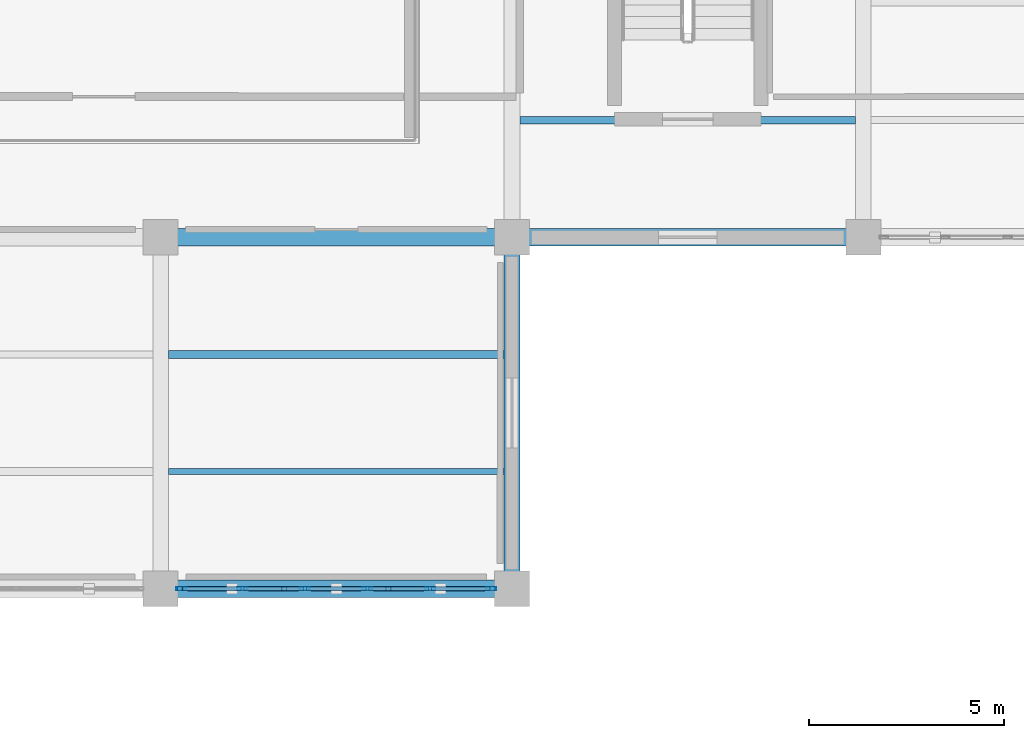
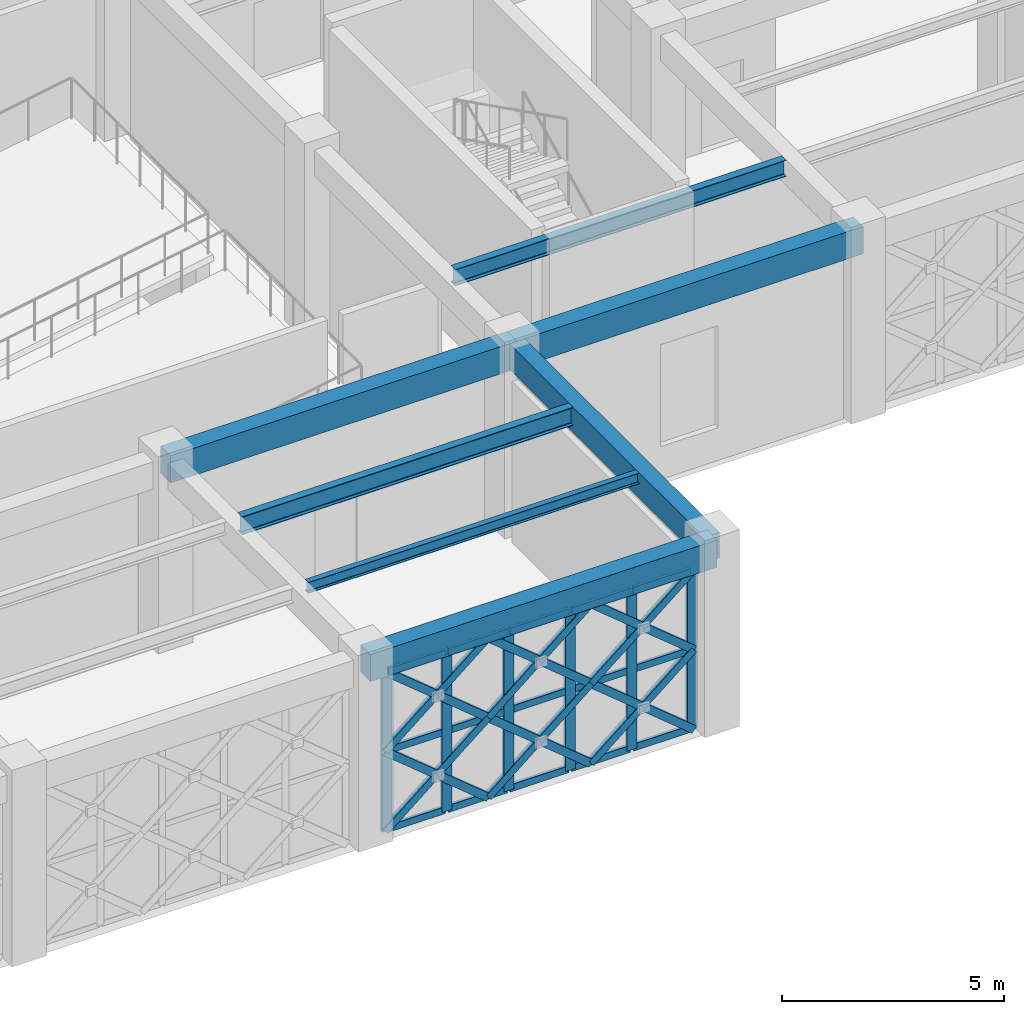
# One storey, part 97 of 166: 39 members, 7 beams, 1 element without a shape of its own.
"""IFC4 building model written with IfcOpenShell, lengths in metres."""

from ifc_helpers import new_model, si_unit, direction, frame, origin, origin_2d, place, context, subcontext, project, spatial, rectangle, hollow_rectangle, i_section, extrude, material, material_profile, profile_set, type_object, element, aggregate, save


model = new_model("IFC4")

# Units and contexts
model_context = context("Model", 3, precision=1e-05, world=origin(), true_north=direction((0.0, 1.0)))
body_context = subcontext(model_context, "Body", "Model", "MODEL_VIEW")
ifc_project = project(units=[si_unit("LENGTHUNIT", "METRE"), si_unit("AREAUNIT", "SQUARE_METRE"), si_unit("VOLUMEUNIT", "CUBIC_METRE"), si_unit("PLANEANGLEUNIT", "RADIAN"), si_unit("MASSUNIT", "GRAM", prefix="KILO")], contexts=[model_context])

# Site, building, storey
site_placement = place(None, origin())
site = spatial("IfcSite", under=ifc_project, at=site_placement, CompositionType="ELEMENT")
building_placement = place(site_placement, origin())
building = spatial("IfcBuilding", under=site, at=building_placement, Name="Haizhuo Lancet Aquarium", CompositionType="ELEMENT")
storey_placement = place(building_placement, frame((0.0, 0.0, 5.39990234375)))
storey = spatial("IfcBuildingStorey", under=building, at=storey_placement, Name="L01", CompositionType="ELEMENT", Elevation=5.39990234375)

# Beams
ifc_material_1 = material(Name="Concrete C40/50", Category="concrete")
ifc_material_profile_1 = material_profile(ifc_material_1, rectangle(XDim=0.39990234375, YDim=0.699951171875, at=origin_2d()), Name="RC-BM 400x700")
ifc_profile_set_1 = profile_set([ifc_material_profile_1], Name="Concrete C40/50")
beam_type_1 = type_object("IfcBeamType", Name="BM-RC-400x700", PredefinedType="BEAM", material=ifc_profile_set_1)
beam_1_placement = place(storey_placement, frame((54.0, -36.0, 4.7900390625), z_axis=(0.0, 1.0, 0.0), x_axis=(-1.0, 0.0, 0.0)))
element("IfcBeam", 1, at=beam_1_placement, inside=storey, type_object=beam_type_1, Name="L01 V3 primary girder BM-L01-V3-017", PredefinedType="BEAM", context=body_context, shape_type="SweptSolid", body=[
    extrude(rectangle(XDim=0.39990234375, YDim=0.699951171875, at=origin_2d()), origin(), (0.0, 0.0, 1.0), 9.0),
])
ifc_material_profile_2 = material_profile(ifc_material_1, rectangle(XDim=0.449951171875, YDim=0.75, at=origin_2d()), Name="RC-BM 450x750")
ifc_profile_set_2 = profile_set([ifc_material_profile_2], Name="Concrete C40/50")
beam_type_2 = type_object("IfcBeamType", Name="BM-RC-450x750", PredefinedType="BEAM", material=ifc_profile_set_2)
for number, where, z_axis, x_axis, name in (
    (2, (45.0, -36.0, 4.76513671875), (1.0, 0.0, 0.0), (0.0, 1.0, 0.0), "L01 V3 primary girder BM-L01-V3-014"),
    (3, (45.0, -27.0, 4.76513671875), (1.0, 0.0, 0.0), (0.0, 1.0, 0.0), "L01 V3 primary girder BM-L01-V3-015"),
    (4, (54.0, -27.0, 4.76513671875), (1.0, 0.0, 0.0), (0.0, 1.0, 0.0), "L01 V3 primary girder BM-L01-V3-019"),
):
    element("IfcBeam", number, at=place(storey_placement, frame(where, z_axis=z_axis, x_axis=x_axis)), inside=storey, type_object=beam_type_2, Name=name, PredefinedType="BEAM", context=body_context, shape_type="SweptSolid", body=[
        extrude(rectangle(XDim=0.449951171875, YDim=0.75, at=origin_2d()), origin(), (0.0, 0.0, 1.0), 9.0),
    ])

# Curtain wall, members
ifc_material_2 = material(Name="Aluminium 6063-T6", Category="aluminium")
curtain_wall_type = type_object("IfcCurtainWallType", Name="CWO-8010x4390", PredefinedType="NOTDEFINED", material=ifc_material_2)
curtain_wall_placement = place(storey_placement, origin())
curtain_wall = element("IfcCurtainWall", 5, at=curtain_wall_placement, inside=storey, type_object=curtain_wall_type, Name="L01 curtain wall CW-V3-L01-045", PredefinedType="NOTDEFINED")
ifc_material_profile_3 = material_profile(ifc_material_2, hollow_rectangle(XDim=0.080078125, YDim=0.260009765625, WallThickness=0.0048828125, at=origin_2d()), Name="ALU-M 80x260x5")
ifc_profile_set_3 = profile_set([ifc_material_profile_3], Name="Aluminium 6063-T6")
member_type_1 = type_object("IfcMemberType", Name="CW-MUL-3", PredefinedType="MULLION", material=ifc_profile_set_3)
member_1_placement = place(storey_placement, frame((53.465087890625, -36.0, 0.0), z_axis=(0.0, 0.0, 1.0), x_axis=(0.0, -1.0, 0.0)))
member_1 = element("IfcMember", 6, at=member_1_placement, type_object=member_type_1, Name="CWO-80x43 mullion 1", PredefinedType="MULLION", context=body_context, shape_type="SweptSolid", body=[
    extrude(hollow_rectangle(XDim=0.080078125, YDim=0.260009765625, WallThickness=0.0048828125, at=origin_2d()), origin(), (0.0, 0.0, 1.0), 4.39013671875),
])
member_2_placement = place(storey_placement, frame((51.903076171875, -36.0, 0.0), z_axis=(0.0, 0.0, 1.0), x_axis=(0.0, -1.0, 0.0)))
member_2 = element("IfcMember", 7, at=member_2_placement, type_object=member_type_1, Name="CWO-80x43 mullion 2", PredefinedType="MULLION", context=body_context, shape_type="SweptSolid", body=[
    extrude(hollow_rectangle(XDim=0.080078125, YDim=0.260009765625, WallThickness=0.0048828125, at=origin_2d()), origin(), (0.0, 0.0, 1.0), 4.39013671875),
])
member_3_placement = place(storey_placement, frame((50.301025390625, -36.0, 0.0), z_axis=(0.0, 0.0, 1.0), x_axis=(0.0, -1.0, 0.0)))
member_3 = element("IfcMember", 8, at=member_3_placement, type_object=member_type_1, Name="CWO-80x43 mullion 3", PredefinedType="MULLION", context=body_context, shape_type="SweptSolid", body=[
    extrude(hollow_rectangle(XDim=0.080078125, YDim=0.260009765625, WallThickness=0.0048828125, at=origin_2d()), origin(), (0.0, 0.0, 1.0), 4.39013671875),
])
member_4_placement = place(storey_placement, frame((48.698974609375, -36.0, 0.0), z_axis=(0.0, 0.0, 1.0), x_axis=(0.0, -1.0, 0.0)))
member_4 = element("IfcMember", 9, at=member_4_placement, type_object=member_type_1, Name="CWO-80x43 mullion 4", PredefinedType="MULLION", context=body_context, shape_type="SweptSolid", body=[
    extrude(hollow_rectangle(XDim=0.080078125, YDim=0.260009765625, WallThickness=0.0048828125, at=origin_2d()), origin(), (0.0, 0.0, 1.0), 4.39013671875),
])
member_5_placement = place(storey_placement, frame((47.096923828125, -36.0, 0.0), z_axis=(0.0, 0.0, 1.0), x_axis=(0.0, -1.0, 0.0)))
member_5 = element("IfcMember", 10, at=member_5_placement, type_object=member_type_1, Name="CWO-80x43 mullion 5", PredefinedType="MULLION", context=body_context, shape_type="SweptSolid", body=[
    extrude(hollow_rectangle(XDim=0.080078125, YDim=0.260009765625, WallThickness=0.0048828125, at=origin_2d()), origin(), (0.0, 0.0, 1.0), 4.39013671875),
])
member_6_placement = place(storey_placement, frame((45.534912109375, -36.0, 0.0), z_axis=(0.0, 0.0, 1.0), x_axis=(0.0, -1.0, 0.0)))
member_6 = element("IfcMember", 11, at=member_6_placement, type_object=member_type_1, Name="CWO-80x43 mullion 6", PredefinedType="MULLION", context=body_context, shape_type="SweptSolid", body=[
    extrude(hollow_rectangle(XDim=0.080078125, YDim=0.260009765625, WallThickness=0.0048828125, at=origin_2d()), origin(), (0.0, 0.0, 1.0), 4.39013671875),
])
ifc_material_profile_4 = material_profile(ifc_material_2, hollow_rectangle(XDim=0.080078125, YDim=0.18994140625, WallThickness=0.0048828125, at=origin_2d()), Name="ALU-T 80x190x5")
ifc_profile_set_4 = profile_set([ifc_material_profile_4], Name="Aluminium 6063-T6")
member_type_2 = type_object("IfcMemberType", Name="CW-TRN-3", PredefinedType="NOTDEFINED", material=ifc_profile_set_4)
member_7_placement = place(storey_placement, frame((53.425048828125, -36.0, 0.0400390625), z_axis=(-1.0, 0.0, 0.0), x_axis=(0.0, -1.0, 0.0)))
member_7 = element("IfcMember", 12, at=member_7_placement, type_object=member_type_2, Name="CWO-80x43 transom 1.1", ObjectType="TRANSOM", PredefinedType="USERDEFINED", context=body_context, shape_type="SweptSolid", body=[
    extrude(hollow_rectangle(XDim=0.080078125, YDim=0.18994140625, WallThickness=0.0048828125, at=origin_2d()), origin(), (0.0, 0.0, 1.0), 1.48193359375),
])
member_8_placement = place(storey_placement, frame((53.425048828125, -36.0, 2.195068359375), z_axis=(-1.0, 0.0, 0.0), x_axis=(0.0, -1.0, 0.0)))
member_8 = element("IfcMember", 13, at=member_8_placement, type_object=member_type_2, Name="CWO-80x43 transom 1.2", ObjectType="TRANSOM", PredefinedType="USERDEFINED", context=body_context, shape_type="SweptSolid", body=[
    extrude(hollow_rectangle(XDim=0.080078125, YDim=0.18994140625, WallThickness=0.0048828125, at=origin_2d()), origin(), (0.0, 0.0, 1.0), 1.48193359375),
])
member_9_placement = place(storey_placement, frame((53.425048828125, -36.0, 4.35009765625), z_axis=(-1.0, 0.0, 0.0), x_axis=(0.0, -1.0, 0.0)))
member_9 = element("IfcMember", 14, at=member_9_placement, type_object=member_type_2, Name="CWO-80x43 transom 1.3", ObjectType="TRANSOM", PredefinedType="USERDEFINED", context=body_context, shape_type="SweptSolid", body=[
    extrude(hollow_rectangle(XDim=0.080078125, YDim=0.18994140625, WallThickness=0.0048828125, at=origin_2d()), origin(), (0.0, 0.0, 1.0), 1.48193359375),
])
member_10_placement = place(storey_placement, frame((51.863037109375, -36.0, 0.0400390625), z_axis=(-1.0, 0.0, 0.0), x_axis=(0.0, -1.0, 0.0)))
member_10 = element("IfcMember", 15, at=member_10_placement, type_object=member_type_2, Name="CWO-80x43 transom 2.1", ObjectType="TRANSOM", PredefinedType="USERDEFINED", context=body_context, shape_type="SweptSolid", body=[
    extrude(hollow_rectangle(XDim=0.080078125, YDim=0.18994140625, WallThickness=0.0048828125, at=origin_2d()), origin(), (0.0, 0.0, 1.0), 1.52197265625),
])
member_11_placement = place(storey_placement, frame((51.863037109375, -36.0, 2.195068359375), z_axis=(-1.0, 0.0, 0.0), x_axis=(0.0, -1.0, 0.0)))
member_11 = element("IfcMember", 16, at=member_11_placement, type_object=member_type_2, Name="CWO-80x43 transom 2.2", ObjectType="TRANSOM", PredefinedType="USERDEFINED", context=body_context, shape_type="SweptSolid", body=[
    extrude(hollow_rectangle(XDim=0.080078125, YDim=0.18994140625, WallThickness=0.0048828125, at=origin_2d()), origin(), (0.0, 0.0, 1.0), 1.52197265625),
])
member_12_placement = place(storey_placement, frame((51.863037109375, -36.0, 4.35009765625), z_axis=(-1.0, 0.0, 0.0), x_axis=(0.0, -1.0, 0.0)))
member_12 = element("IfcMember", 17, at=member_12_placement, type_object=member_type_2, Name="CWO-80x43 transom 2.3", ObjectType="TRANSOM", PredefinedType="USERDEFINED", context=body_context, shape_type="SweptSolid", body=[
    extrude(hollow_rectangle(XDim=0.080078125, YDim=0.18994140625, WallThickness=0.0048828125, at=origin_2d()), origin(), (0.0, 0.0, 1.0), 1.52197265625),
])
member_13_placement = place(storey_placement, frame((50.260986328125, -36.0, 0.0400390625), z_axis=(-1.0, 0.0, 0.0), x_axis=(0.0, -1.0, 0.0)))
member_13 = element("IfcMember", 18, at=member_13_placement, type_object=member_type_2, Name="CWO-80x43 transom 3.1", ObjectType="TRANSOM", PredefinedType="USERDEFINED", context=body_context, shape_type="SweptSolid", body=[
    extrude(hollow_rectangle(XDim=0.080078125, YDim=0.18994140625, WallThickness=0.0048828125, at=origin_2d()), origin(), (0.0, 0.0, 1.0), 1.52197265625),
])
member_14_placement = place(storey_placement, frame((50.260986328125, -36.0, 2.195068359375), z_axis=(-1.0, 0.0, 0.0), x_axis=(0.0, -1.0, 0.0)))
member_14 = element("IfcMember", 19, at=member_14_placement, type_object=member_type_2, Name="CWO-80x43 transom 3.2", ObjectType="TRANSOM", PredefinedType="USERDEFINED", context=body_context, shape_type="SweptSolid", body=[
    extrude(hollow_rectangle(XDim=0.080078125, YDim=0.18994140625, WallThickness=0.0048828125, at=origin_2d()), origin(), (0.0, 0.0, 1.0), 1.52197265625),
])
member_15_placement = place(storey_placement, frame((50.260986328125, -36.0, 4.35009765625), z_axis=(-1.0, 0.0, 0.0), x_axis=(0.0, -1.0, 0.0)))
member_15 = element("IfcMember", 20, at=member_15_placement, type_object=member_type_2, Name="CWO-80x43 transom 3.3", ObjectType="TRANSOM", PredefinedType="USERDEFINED", context=body_context, shape_type="SweptSolid", body=[
    extrude(hollow_rectangle(XDim=0.080078125, YDim=0.18994140625, WallThickness=0.0048828125, at=origin_2d()), origin(), (0.0, 0.0, 1.0), 1.52197265625),
])
member_16_placement = place(storey_placement, frame((48.658935546875, -36.0, 0.0400390625), z_axis=(-1.0, 0.0, 0.0), x_axis=(0.0, -1.0, 0.0)))
member_16 = element("IfcMember", 21, at=member_16_placement, type_object=member_type_2, Name="CWO-80x43 transom 4.1", ObjectType="TRANSOM", PredefinedType="USERDEFINED", context=body_context, shape_type="SweptSolid", body=[
    extrude(hollow_rectangle(XDim=0.080078125, YDim=0.18994140625, WallThickness=0.0048828125, at=origin_2d()), origin(), (0.0, 0.0, 1.0), 1.52197265625),
])
member_17_placement = place(storey_placement, frame((48.658935546875, -36.0, 2.195068359375), z_axis=(-1.0, 0.0, 0.0), x_axis=(0.0, -1.0, 0.0)))
member_17 = element("IfcMember", 22, at=member_17_placement, type_object=member_type_2, Name="CWO-80x43 transom 4.2", ObjectType="TRANSOM", PredefinedType="USERDEFINED", context=body_context, shape_type="SweptSolid", body=[
    extrude(hollow_rectangle(XDim=0.080078125, YDim=0.18994140625, WallThickness=0.0048828125, at=origin_2d()), origin(), (0.0, 0.0, 1.0), 1.52197265625),
])
member_18_placement = place(storey_placement, frame((48.658935546875, -36.0, 4.35009765625), z_axis=(-1.0, 0.0, 0.0), x_axis=(0.0, -1.0, 0.0)))
member_18 = element("IfcMember", 23, at=member_18_placement, type_object=member_type_2, Name="CWO-80x43 transom 4.3", ObjectType="TRANSOM", PredefinedType="USERDEFINED", context=body_context, shape_type="SweptSolid", body=[
    extrude(hollow_rectangle(XDim=0.080078125, YDim=0.18994140625, WallThickness=0.0048828125, at=origin_2d()), origin(), (0.0, 0.0, 1.0), 1.52197265625),
])
member_19_placement = place(storey_placement, frame((47.056884765625, -36.0, 0.0400390625), z_axis=(-1.0, 0.0, 0.0), x_axis=(0.0, -1.0, 0.0)))
member_19 = element("IfcMember", 24, at=member_19_placement, type_object=member_type_2, Name="CWO-80x43 transom 5.1", ObjectType="TRANSOM", PredefinedType="USERDEFINED", context=body_context, shape_type="SweptSolid", body=[
    extrude(hollow_rectangle(XDim=0.080078125, YDim=0.18994140625, WallThickness=0.0048828125, at=origin_2d()), origin(), (0.0, 0.0, 1.0), 1.48193359375),
])
member_20_placement = place(storey_placement, frame((47.056884765625, -36.0, 2.195068359375), z_axis=(-1.0, 0.0, 0.0), x_axis=(0.0, -1.0, 0.0)))
member_20 = element("IfcMember", 25, at=member_20_placement, type_object=member_type_2, Name="CWO-80x43 transom 5.2", ObjectType="TRANSOM", PredefinedType="USERDEFINED", context=body_context, shape_type="SweptSolid", body=[
    extrude(hollow_rectangle(XDim=0.080078125, YDim=0.18994140625, WallThickness=0.0048828125, at=origin_2d()), origin(), (0.0, 0.0, 1.0), 1.48193359375),
])
member_21_placement = place(storey_placement, frame((47.056884765625, -36.0, 4.35009765625), z_axis=(-1.0, 0.0, 0.0), x_axis=(0.0, -1.0, 0.0)))
member_21 = element("IfcMember", 26, at=member_21_placement, type_object=member_type_2, Name="CWO-80x43 transom 5.3", ObjectType="TRANSOM", PredefinedType="USERDEFINED", context=body_context, shape_type="SweptSolid", body=[
    extrude(hollow_rectangle(XDim=0.080078125, YDim=0.18994140625, WallThickness=0.0048828125, at=origin_2d()), origin(), (0.0, 0.0, 1.0), 1.48193359375),
])
aggregate(curtain_wall, [member_1, member_2, member_3, member_4, member_5, member_6, member_7, member_8, member_9, member_10, member_11, member_12, member_13, member_14, member_15, member_16, member_17, member_18, member_19, member_20, member_21])

# Beams
ifc_material_3 = material(Name="Steel S355", Category="steel")
ifc_material_profile_5 = material_profile(ifc_material_3, i_section(OverallWidth=0.14990234375, OverallDepth=0.300048828125, WebThickness=0.006591796875, FlangeThickness=0.009033203125, FilletRadius=0.012939453125, at=origin_2d()), Name="HN 300x150x6.5x9")
ifc_profile_set_5 = profile_set([ifc_material_profile_5], Name="Steel S355")
beam_type_3 = type_object("IfcBeamType", Name="JST-ST-HN300", PredefinedType="JOIST", material=ifc_profile_set_5)
beam_2_placement = place(storey_placement, frame((45.199951171875, -33.0, 4.989990234375), z_axis=(1.0, 0.0, 0.0), x_axis=(0.0, 1.0, 0.0)))
element("IfcBeam", 27, at=beam_2_placement, inside=storey, type_object=beam_type_3, Name="L01 V3 secondary floor joist 7", PredefinedType="JOIST", context=body_context, shape_type="SweptSolid", body=[
    extrude(i_section(OverallWidth=0.14990234375, OverallDepth=0.300048828125, WebThickness=0.006591796875, FlangeThickness=0.009033203125, FilletRadius=0.012939453125, at=origin_2d()), origin(), (0.0, 0.0, 1.0), 8.60009765625),
])
ifc_material_profile_6 = material_profile(ifc_material_3, i_section(OverallWidth=0.199951171875, OverallDepth=0.449951171875, WebThickness=0.009033203125, FlangeThickness=0.013916015625, FilletRadius=0.01806640625, at=origin_2d()), Name="HN 450x200x9x14")
ifc_profile_set_6 = profile_set([ifc_material_profile_6], Name="Steel S355")
beam_type_4 = type_object("IfcBeamType", Name="JST-ST-HN450", PredefinedType="JOIST", material=ifc_profile_set_6)
beam_3_placement = place(storey_placement, frame((54.199951171875, -24.0, 4.9150390625), z_axis=(1.0, 0.0, 0.0), x_axis=(0.0, 1.0, 0.0)))
element("IfcBeam", 28, at=beam_3_placement, inside=storey, type_object=beam_type_4, Name="L01 V3 secondary floor joist 9", PredefinedType="JOIST", context=body_context, shape_type="SweptSolid", body=[
    extrude(i_section(OverallWidth=0.199951171875, OverallDepth=0.449951171875, WebThickness=0.009033203125, FlangeThickness=0.013916015625, FilletRadius=0.01806640625, at=origin_2d()), origin(), (0.0, 0.0, 1.0), 8.60009765625),
])
ifc_material_profile_7 = material_profile(ifc_material_3, i_section(OverallWidth=0.199951171875, OverallDepth=0.5, WebThickness=0.010009765625, FlangeThickness=0.01611328125, FilletRadius=0.02001953125, at=origin_2d()), Name="HN 500x200x10x16")
ifc_profile_set_7 = profile_set([ifc_material_profile_7], Name="Steel S355")
beam_type_5 = type_object("IfcBeamType", Name="JST-ST-HN500", PredefinedType="JOIST", material=ifc_profile_set_7)
beam_4_placement = place(storey_placement, frame((45.199951171875, -30.0, 4.89013671875), z_axis=(1.0, 0.0, 0.0), x_axis=(0.0, 1.0, 0.0)))
element("IfcBeam", 29, at=beam_4_placement, inside=storey, type_object=beam_type_5, Name="L01 V3 secondary floor joist 8", PredefinedType="JOIST", context=body_context, shape_type="SweptSolid", body=[
    extrude(i_section(OverallWidth=0.199951171875, OverallDepth=0.5, WebThickness=0.010009765625, FlangeThickness=0.01611328125, FilletRadius=0.02001953125, at=origin_2d()), origin(), (0.0, 0.0, 1.0), 8.60009765625),
])

# Members
ifc_material_profile_8 = material_profile(ifc_material_3, hollow_rectangle(XDim=0.1201171875, YDim=0.199951171875, WallThickness=0.008056640625, at=origin_2d()), Name="RHS 120x200x8")
ifc_profile_set_8 = profile_set([ifc_material_profile_8], Name="Steel S355")
member_type_3 = type_object("IfcMemberType", Name="MEM-LB-RHS120x200", PredefinedType="BRACE", material=ifc_profile_set_8)
member_22_placement = place(storey_placement, frame((53.5048828125, -36.0, 0.0), z_axis=(-0.772453976084, 0.0, 0.635070747895), x_axis=(0.0, -1.0, 0.0)))
element("IfcMember", 30, at=member_22_placement, inside=storey, type_object=member_type_3, Name="Gothic lancet continuous diagonal brace CW-V3-L01-045 1A", PredefinedType="BRACE", context=body_context, shape_type="SweptSolid", body=[
    extrude(hollow_rectangle(XDim=0.1201171875, YDim=0.199951171875, WallThickness=0.008056640625, at=origin_2d()), origin(), (0.0, 0.0, 1.0), 3.456298828125),
])
member_23_placement = place(storey_placement, frame((50.8349609375, -36.0, 0.0), z_axis=(0.772280733977, 0.0, 0.635281408454), x_axis=(0.0, 1.0, 0.0)))
element("IfcMember", 31, at=member_23_placement, inside=storey, type_object=member_type_3, Name="Gothic lancet split diagonal brace CW-V3-L01-045 1B1", PredefinedType="BRACE", context=body_context, shape_type="SweptSolid", body=[
    extrude(hollow_rectangle(XDim=0.1201171875, YDim=0.199951171875, WallThickness=0.008056640625, at=origin_2d()), origin(), (0.0, 0.0, 1.0), 1.728515625),
])
member_24_placement = place(storey_placement, frame((52.169921875, -36.0, 1.09814453125), z_axis=(0.772627238419, 0.0, 0.634859945541), x_axis=(0.0, 1.0, 0.0)))
element("IfcMember", 32, at=member_24_placement, inside=storey, type_object=member_type_3, Name="Gothic lancet split diagonal brace CW-V3-L01-045 1B2", PredefinedType="BRACE", context=body_context, shape_type="SweptSolid", body=[
    extrude(hollow_rectangle(XDim=0.1201171875, YDim=0.199951171875, WallThickness=0.008056640625, at=origin_2d()), origin(), (0.0, 0.0, 1.0), 1.727783203125),
])
member_25_placement = place(storey_placement, frame((53.5048828125, -36.0, 2.195068359375), z_axis=(-0.772453976084, 0.0, 0.635070747895), x_axis=(0.0, -1.0, 0.0)))
element("IfcMember", 33, at=member_25_placement, inside=storey, type_object=member_type_3, Name="Gothic lancet continuous diagonal brace CW-V3-L01-045 2A", PredefinedType="BRACE", context=body_context, shape_type="SweptSolid", body=[
    extrude(hollow_rectangle(XDim=0.1201171875, YDim=0.199951171875, WallThickness=0.008056640625, at=origin_2d()), origin(), (0.0, 0.0, 1.0), 3.456298828125),
])
member_26_placement = place(storey_placement, frame((50.8349609375, -36.0, 2.195068359375), z_axis=(0.772627238419, 0.0, 0.634859945541), x_axis=(0.0, 1.0, 0.0)))
element("IfcMember", 34, at=member_26_placement, inside=storey, type_object=member_type_3, Name="Gothic lancet split diagonal brace CW-V3-L01-045 2B1", PredefinedType="BRACE", context=body_context, shape_type="SweptSolid", body=[
    extrude(hollow_rectangle(XDim=0.1201171875, YDim=0.199951171875, WallThickness=0.008056640625, at=origin_2d()), origin(), (0.0, 0.0, 1.0), 1.727783203125),
])
member_27_placement = place(storey_placement, frame((52.169921875, -36.0, 3.2919921875), z_axis=(0.772280733977, 0.0, 0.635281408454), x_axis=(0.0, 1.0, 0.0)))
element("IfcMember", 35, at=member_27_placement, inside=storey, type_object=member_type_3, Name="Gothic lancet split diagonal brace CW-V3-L01-045 2B2", PredefinedType="BRACE", context=body_context, shape_type="SweptSolid", body=[
    extrude(hollow_rectangle(XDim=0.1201171875, YDim=0.199951171875, WallThickness=0.008056640625, at=origin_2d()), origin(), (0.0, 0.0, 1.0), 1.728515625),
])
member_28_placement = place(storey_placement, frame((50.8349609375, -36.0, 0.0), z_axis=(-0.772453976084, 0.0, 0.635070747895), x_axis=(0.0, -1.0, 0.0)))
element("IfcMember", 36, at=member_28_placement, inside=storey, type_object=member_type_3, Name="Gothic lancet continuous diagonal brace CW-V3-L01-045 3A", PredefinedType="BRACE", context=body_context, shape_type="SweptSolid", body=[
    extrude(hollow_rectangle(XDim=0.1201171875, YDim=0.199951171875, WallThickness=0.008056640625, at=origin_2d()), origin(), (0.0, 0.0, 1.0), 3.456298828125),
])
member_29_placement = place(storey_placement, frame((48.1650390625, -36.0, 0.0), z_axis=(0.772280733977, 0.0, 0.635281408454), x_axis=(0.0, 1.0, 0.0)))
element("IfcMember", 37, at=member_29_placement, inside=storey, type_object=member_type_3, Name="Gothic lancet split diagonal brace CW-V3-L01-045 3B1", PredefinedType="BRACE", context=body_context, shape_type="SweptSolid", body=[
    extrude(hollow_rectangle(XDim=0.1201171875, YDim=0.199951171875, WallThickness=0.008056640625, at=origin_2d()), origin(), (0.0, 0.0, 1.0), 1.728515625),
])
member_30_placement = place(storey_placement, frame((49.5, -36.0, 1.09814453125), z_axis=(0.772627238419, 0.0, 0.634859945541), x_axis=(0.0, 1.0, 0.0)))
element("IfcMember", 38, at=member_30_placement, inside=storey, type_object=member_type_3, Name="Gothic lancet split diagonal brace CW-V3-L01-045 3B2", PredefinedType="BRACE", context=body_context, shape_type="SweptSolid", body=[
    extrude(hollow_rectangle(XDim=0.1201171875, YDim=0.199951171875, WallThickness=0.008056640625, at=origin_2d()), origin(), (0.0, 0.0, 1.0), 1.727783203125),
])
member_31_placement = place(storey_placement, frame((50.8349609375, -36.0, 2.195068359375), z_axis=(-0.772453976084, 0.0, 0.635070747895), x_axis=(0.0, -1.0, 0.0)))
element("IfcMember", 39, at=member_31_placement, inside=storey, type_object=member_type_3, Name="Gothic lancet continuous diagonal brace CW-V3-L01-045 4A", PredefinedType="BRACE", context=body_context, shape_type="SweptSolid", body=[
    extrude(hollow_rectangle(XDim=0.1201171875, YDim=0.199951171875, WallThickness=0.008056640625, at=origin_2d()), origin(), (0.0, 0.0, 1.0), 3.456298828125),
])
member_32_placement = place(storey_placement, frame((48.1650390625, -36.0, 2.195068359375), z_axis=(0.772627238419, 0.0, 0.634859945541), x_axis=(0.0, 1.0, 0.0)))
element("IfcMember", 40, at=member_32_placement, inside=storey, type_object=member_type_3, Name="Gothic lancet split diagonal brace CW-V3-L01-045 4B1", PredefinedType="BRACE", context=body_context, shape_type="SweptSolid", body=[
    extrude(hollow_rectangle(XDim=0.1201171875, YDim=0.199951171875, WallThickness=0.008056640625, at=origin_2d()), origin(), (0.0, 0.0, 1.0), 1.727783203125),
])
member_33_placement = place(storey_placement, frame((49.5, -36.0, 3.2919921875), z_axis=(0.772280733977, 0.0, 0.635281408454), x_axis=(0.0, 1.0, 0.0)))
element("IfcMember", 41, at=member_33_placement, inside=storey, type_object=member_type_3, Name="Gothic lancet split diagonal brace CW-V3-L01-045 4B2", PredefinedType="BRACE", context=body_context, shape_type="SweptSolid", body=[
    extrude(hollow_rectangle(XDim=0.1201171875, YDim=0.199951171875, WallThickness=0.008056640625, at=origin_2d()), origin(), (0.0, 0.0, 1.0), 1.728515625),
])
member_34_placement = place(storey_placement, frame((48.1650390625, -36.0, 0.0), z_axis=(-0.772453976084, 0.0, 0.635070747895), x_axis=(0.0, -1.0, 0.0)))
element("IfcMember", 42, at=member_34_placement, inside=storey, type_object=member_type_3, Name="Gothic lancet continuous diagonal brace CW-V3-L01-045 5A", PredefinedType="BRACE", context=body_context, shape_type="SweptSolid", body=[
    extrude(hollow_rectangle(XDim=0.1201171875, YDim=0.199951171875, WallThickness=0.008056640625, at=origin_2d()), origin(), (0.0, 0.0, 1.0), 3.456298828125),
])
member_35_placement = place(storey_placement, frame((45.4951171875, -36.0, 0.0), z_axis=(0.772280733977, 0.0, 0.635281408454), x_axis=(0.0, 1.0, 0.0)))
element("IfcMember", 43, at=member_35_placement, inside=storey, type_object=member_type_3, Name="Gothic lancet split diagonal brace CW-V3-L01-045 5B1", PredefinedType="BRACE", context=body_context, shape_type="SweptSolid", body=[
    extrude(hollow_rectangle(XDim=0.1201171875, YDim=0.199951171875, WallThickness=0.008056640625, at=origin_2d()), origin(), (0.0, 0.0, 1.0), 1.728515625),
])
member_36_placement = place(storey_placement, frame((46.830078125, -36.0, 1.09814453125), z_axis=(0.772627238419, 0.0, 0.634859945541), x_axis=(0.0, 1.0, 0.0)))
element("IfcMember", 44, at=member_36_placement, inside=storey, type_object=member_type_3, Name="Gothic lancet split diagonal brace CW-V3-L01-045 5B2", PredefinedType="BRACE", context=body_context, shape_type="SweptSolid", body=[
    extrude(hollow_rectangle(XDim=0.1201171875, YDim=0.199951171875, WallThickness=0.008056640625, at=origin_2d()), origin(), (0.0, 0.0, 1.0), 1.727783203125),
])
member_37_placement = place(storey_placement, frame((48.1650390625, -36.0, 2.195068359375), z_axis=(-0.772453976084, 0.0, 0.635070747895), x_axis=(0.0, -1.0, 0.0)))
element("IfcMember", 45, at=member_37_placement, inside=storey, type_object=member_type_3, Name="Gothic lancet continuous diagonal brace CW-V3-L01-045 6A", PredefinedType="BRACE", context=body_context, shape_type="SweptSolid", body=[
    extrude(hollow_rectangle(XDim=0.1201171875, YDim=0.199951171875, WallThickness=0.008056640625, at=origin_2d()), origin(), (0.0, 0.0, 1.0), 3.456298828125),
])
member_38_placement = place(storey_placement, frame((45.4951171875, -36.0, 2.195068359375), z_axis=(0.772627238419, 0.0, 0.634859945541), x_axis=(0.0, 1.0, 0.0)))
element("IfcMember", 46, at=member_38_placement, inside=storey, type_object=member_type_3, Name="Gothic lancet split diagonal brace CW-V3-L01-045 6B1", PredefinedType="BRACE", context=body_context, shape_type="SweptSolid", body=[
    extrude(hollow_rectangle(XDim=0.1201171875, YDim=0.199951171875, WallThickness=0.008056640625, at=origin_2d()), origin(), (0.0, 0.0, 1.0), 1.727783203125),
])
member_39_placement = place(storey_placement, frame((46.830078125, -36.0, 3.2919921875), z_axis=(0.772280733977, 0.0, 0.635281408454), x_axis=(0.0, 1.0, 0.0)))
element("IfcMember", 47, at=member_39_placement, inside=storey, type_object=member_type_3, Name="Gothic lancet split diagonal brace CW-V3-L01-045 6B2", PredefinedType="BRACE", context=body_context, shape_type="SweptSolid", body=[
    extrude(hollow_rectangle(XDim=0.1201171875, YDim=0.199951171875, WallThickness=0.008056640625, at=origin_2d()), origin(), (0.0, 0.0, 1.0), 1.728515625),
])

save(model, "model.ifc")
